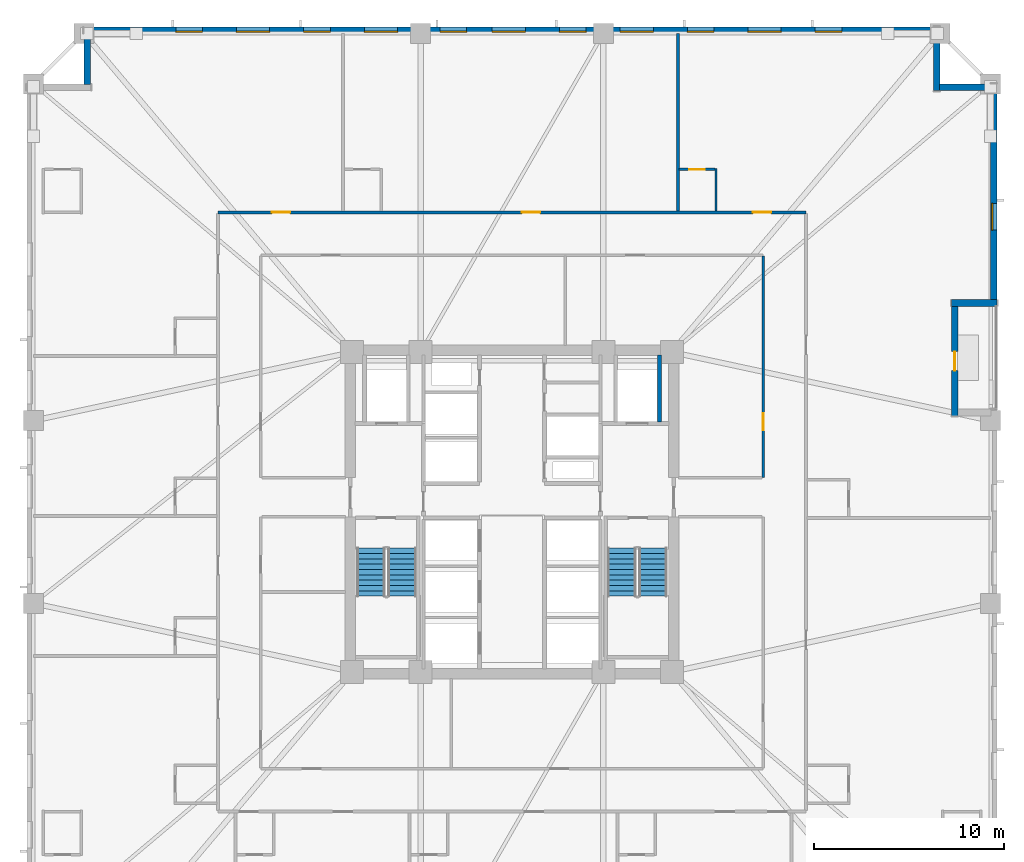
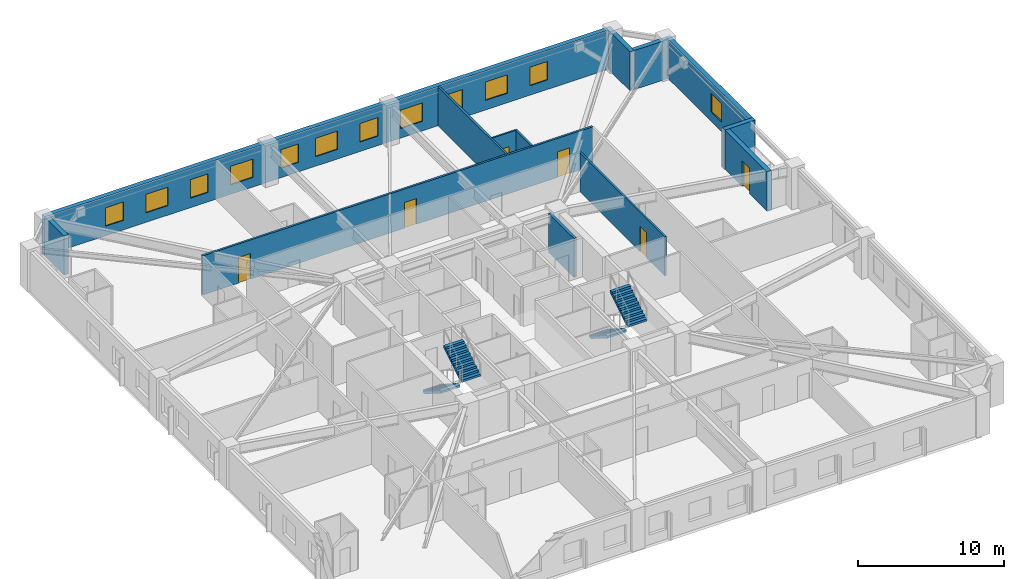
# One storey, part 6 of 11: 13 walls, 12 windows, 6 doors, 4 stair flights, 18 openings, 2 elements without a shape of their own.
"""IFC4 building model written with IfcOpenShell, lengths in metres."""

from ifc_helpers import new_model, si_unit, direction, frame, frame_2d, origin, place, context, subcontext, project, spatial, polyline, rectangle, outline, extrude, material, layer, layer_set, type_object, element, fill, aggregate, save


model = new_model("IFC4")

# Units and contexts
model_context = context("Model", 3, precision=1e-05, world=origin(), true_north=direction((0.0, 1.0)))
body_context = subcontext(model_context, "Body", "Model", "MODEL_VIEW")
ifc_project = project(units=[si_unit("LENGTHUNIT", "METRE"), si_unit("AREAUNIT", "SQUARE_METRE"), si_unit("VOLUMEUNIT", "CUBIC_METRE"), si_unit("PLANEANGLEUNIT", "RADIAN"), si_unit("MASSUNIT", "GRAM", prefix="KILO")], contexts=[model_context])

# Site, building, storey
site_placement = place(None, origin())
site = spatial("IfcSite", under=ifc_project, at=site_placement, CompositionType="ELEMENT")
building_placement = place(site_placement, origin())
building = spatial("IfcBuilding", under=site, at=building_placement, Name="Cairnveth Concourse Tower", CompositionType="ELEMENT")
storey_placement = place(building_placement, frame((0.0, 0.0, 76.0)))
storey = spatial("IfcBuildingStorey", under=building, at=storey_placement, Name="L20", CompositionType="ELEMENT", Elevation=76.0)

# Wall, openings, doors
ifc_material_1 = material(Name="Gypsum Plasterboard Partition", Category="gypsum")
ifc_layer_1 = layer(ifc_material_1, 0.159912109375)
ifc_layer_set_1 = layer_set([ifc_layer_1], Name="Gypsum Plasterboard Partition")
wall_type_1 = type_object("IfcWallType", Name="ACOUSTIC PARTY WALL 180", PredefinedType="PARTITIONING", material=ifc_layer_set_1)
wall_1_placement = place(storey_placement, frame((36.550048828125, 54.75, 0.0), z_axis=(0.0, 0.0, 1.0), x_axis=(1.0, 0.0, 0.0)))
wall_1 = element("IfcWall", 1, at=wall_1_placement, inside=storey, type_object=wall_type_1, Name="Interior Wall IW-L20-039", PredefinedType="PARTITIONING", context=body_context, shape_type="SweptSolid", body=[
    extrude(rectangle(XDim=30.89990234375, YDim=0.159912109375, at=frame_2d((15.449951171875, 0.0))), origin(), (0.0, 0.0, 1.0), 3.280029296875),
])
opening_1_placement = place(wall_1_placement, frame((2.830078125, 0.0, 0.0)))
opening_1 = element("IfcOpeningElement", 2, at=opening_1_placement, cuts=wall_1, Name="Opening ID09", PredefinedType="OPENING", context=body_context, shape_type="SweptSolid", body=[
    extrude(rectangle(XDim=0.9599609375, YDim=2.14990234375, at=frame_2d((0.47998046875, 1.074951171875))), frame((0.0, 0.08984375, 0.0), z_axis=(0.0, -1.0, 0.0), x_axis=(1.0, 0.0, 0.0)), (0.0, 0.0, 1.0), 0.179931640625),
])
opening_2_placement = place(wall_1_placement, frame((15.965087890625, 0.0, 0.0)))
opening_2 = element("IfcOpeningElement", 3, at=opening_2_placement, cuts=wall_1, Name="Opening ID09", PredefinedType="OPENING", context=body_context, shape_type="SweptSolid", body=[
    extrude(rectangle(XDim=0.9599609375, YDim=2.14990234375, at=frame_2d((0.47998046875, 1.074951171875))), frame((0.0, 0.08984375, 0.0), z_axis=(0.0, -1.0, 0.0), x_axis=(1.0, 0.0, 0.0)), (0.0, 0.0, 1.0), 0.179931640625),
])
opening_3_placement = place(wall_1_placement, frame((28.10498046875, 0.0, 0.0)))
opening_3 = element("IfcOpeningElement", 4, at=opening_3_placement, cuts=wall_1, Name="Opening ID09", PredefinedType="OPENING", context=body_context, shape_type="SweptSolid", body=[
    extrude(rectangle(XDim=0.9599609375, YDim=2.14990234375, at=frame_2d((0.47998046875, 1.074951171875))), frame((0.0, 0.08984375, 0.0), z_axis=(0.0, -1.0, 0.0), x_axis=(1.0, 0.0, 0.0)), (0.0, 0.0, 1.0), 0.179931640625),
])
ifc_material_2 = material(Name="Solid Core Hardwood Timber Leaf", Category="wood")
door_type_1 = type_object("IfcDoorType", Name="HOTEL ENTRANCE DOOR 960X2150", OperationType="NOTDEFINED", PredefinedType="DOOR", material=ifc_material_2)
door_1_placement = place(opening_1_placement, origin())
door_1 = element("IfcDoor", 5, at=door_1_placement, inside=storey, type_object=door_type_1, Name="Hotel Room Door L20-N1", OperationType="SINGLE_SWING_RIGHT", OverallHeight=2.14990234375, OverallWidth=0.9599609375, PredefinedType="DOOR", context=body_context, shape_type="SweptSolid", body=[
    extrude(rectangle(XDim=0.9599609375, YDim=2.14990234375, at=frame_2d((0.47998046875, 1.074951171875))), frame((0.0, 0.02490234375, 0.0), z_axis=(0.0, -1.0, 0.0), x_axis=(1.0, 0.0, 0.0)), (0.0, 0.0, 1.0), 0.050048828125),
])
fill(opening_1, door_1)
door_2_placement = place(opening_2_placement, origin())
door_2 = element("IfcDoor", 6, at=door_2_placement, inside=storey, type_object=door_type_1, Name="Hotel Room Door L20-N2", OperationType="SINGLE_SWING_RIGHT", OverallHeight=2.14990234375, OverallWidth=0.9599609375, PredefinedType="DOOR", context=body_context, shape_type="SweptSolid", body=[
    extrude(rectangle(XDim=0.9599609375, YDim=2.14990234375, at=frame_2d((0.47998046875, 1.074951171875))), frame((0.0, 0.02490234375, 0.0), z_axis=(0.0, -1.0, 0.0), x_axis=(1.0, 0.0, 0.0)), (0.0, 0.0, 1.0), 0.050048828125),
])
fill(opening_2, door_2)
door_3_placement = place(opening_3_placement, origin())
door_3 = element("IfcDoor", 7, at=door_3_placement, inside=storey, type_object=door_type_1, Name="Hotel Room Door L20-N3", OperationType="SINGLE_SWING_RIGHT", OverallHeight=2.14990234375, OverallWidth=0.9599609375, PredefinedType="DOOR", context=body_context, shape_type="SweptSolid", body=[
    extrude(rectangle(XDim=0.9599609375, YDim=2.14990234375, at=frame_2d((0.47998046875, 1.074951171875))), frame((0.0, 0.02490234375, 0.0), z_axis=(0.0, -1.0, 0.0), x_axis=(1.0, 0.0, 0.0)), (0.0, 0.0, 1.0), 0.050048828125),
])
fill(opening_3, door_3)

# Walls
wall_2_placement = place(storey_placement, frame((60.719970703125, 54.81494140625, 0.0), z_axis=(0.0, 0.0, 1.0), x_axis=(0.0, 1.0, 0.0)))
element("IfcWall", 8, at=wall_2_placement, inside=storey, type_object=wall_type_1, Name="Interior Wall IW-L20-080", PredefinedType="PARTITIONING", context=body_context, shape_type="SweptSolid", body=[
    extrude(rectangle(XDim=9.340087890625, YDim=0.159912109375, at=frame_2d((4.669921875, 0.0))), origin(), (0.0, 0.0, 1.0), 3.280029296875),
])
ifc_material_3 = material(Name="Concrete N50 (50 MPa)", Category="concrete")
ifc_layer_2 = layer(ifc_material_3, 0.199951171875)
ifc_layer_set_2 = layer_set([ifc_layer_2], Name="Concrete N50 (50 MPa)")
wall_type_2 = type_object("IfcWallType", Name="FIRE SHAFT WALL 200", PredefinedType="SOLIDWALL", material=ifc_layer_set_2)
wall_3_placement = place(storey_placement, frame((59.75, 43.735107421875, 0.0), z_axis=(0.0, 0.0, 1.0), x_axis=(0.0, 1.0, 0.0)))
element("IfcWall", 9, at=wall_3_placement, inside=storey, type_object=wall_type_2, Name="Interior Wall IW-L20-024", PredefinedType="SOLIDWALL", context=body_context, shape_type="SweptSolid", body=[
    extrude(rectangle(XDim=3.5048828125, YDim=0.199951171875, at=frame_2d((1.75244140625, 0.0))), origin(), (0.0, 0.0, 1.0), 3.280029296875),
])

# Wall, opening, door
ifc_layer_3 = layer(ifc_material_1, 0.139892578125)
ifc_layer_set_3 = layer_set([ifc_layer_3], Name="Gypsum Plasterboard Partition")
wall_type_3 = type_object("IfcWallType", Name="GYPSUM STUD PARTITION 140", PredefinedType="PARTITIONING", material=ifc_layer_set_3)
wall_4_placement = place(storey_placement, frame((65.199951171875, 40.800048828125, 0.0), z_axis=(0.0, 0.0, 1.0), x_axis=(0.0, 1.0, 0.0)))
wall_4 = element("IfcWall", 10, at=wall_4_placement, inside=storey, type_object=wall_type_3, Name="Interior Wall IW-L20-049", PredefinedType="PARTITIONING", context=body_context, shape_type="SweptSolid", body=[
    extrude(rectangle(XDim=11.64501953125, YDim=0.139892578125, at=frame_2d((5.822509765625, 0.0))), origin(), (0.0, 0.0, 1.0), 3.280029296875),
])
opening_4_placement = place(wall_4_placement, frame((2.5, 0.0, 0.0)))
opening_4 = element("IfcOpeningElement", 11, at=opening_4_placement, cuts=wall_4, Name="Opening ID18", PredefinedType="OPENING", context=body_context, shape_type="SweptSolid", body=[
    extrude(rectangle(XDim=0.8798828125, YDim=2.10009765625, at=frame_2d((0.43994140625, 1.050048828125))), frame((0.0, 0.079833984375, 0.0), z_axis=(0.0, -1.0, 0.0), x_axis=(1.0, 0.0, 0.0)), (0.0, 0.0, 1.0), 0.159912109375),
])
door_type_2 = type_object("IfcDoorType", Name="INTERIOR SINGLE DOOR 880X2100", OperationType="NOTDEFINED", PredefinedType="DOOR", material=ifc_material_2)
door_4_placement = place(opening_4_placement, origin())
door_4 = element("IfcDoor", 12, at=door_4_placement, inside=storey, type_object=door_type_2, Name="Interior Door DR-L20-022", OperationType="SINGLE_SWING_RIGHT", OverallHeight=2.10009765625, OverallWidth=0.8798828125, PredefinedType="DOOR", context=body_context, shape_type="SweptSolid", body=[
    extrude(rectangle(XDim=0.8798828125, YDim=2.10009765625, at=frame_2d((0.43994140625, 1.050048828125))), frame((0.0, 0.02490234375, 0.0), z_axis=(0.0, -1.0, 0.0), x_axis=(1.0, 0.0, 0.0)), (0.0, 0.0, 1.0), 0.050048828125),
])
fill(opening_4, door_4)

# Wall
ifc_layer_4 = layer(ifc_material_1, 0.1298828125)
ifc_layer_set_4 = layer_set([ifc_layer_4], Name="Gypsum Plasterboard Partition")
wall_type_4 = type_object("IfcWallType", Name="WET AREA PARTITION 140", PredefinedType="PLUMBINGWALL", material=ifc_layer_set_4)
wall_5_placement = place(storey_placement, frame((62.719970703125, 54.81494140625, 0.0), z_axis=(0.0, 0.0, 1.0), x_axis=(0.0, 1.0, 0.0)))
element("IfcWall", 13, at=wall_5_placement, inside=storey, type_object=wall_type_4, Name="Interior Wall IW-L20-081", PredefinedType="PLUMBINGWALL", context=body_context, shape_type="SweptSolid", body=[
    extrude(rectangle(XDim=2.235107421875, YDim=0.1298828125, at=frame_2d((1.11767578125, 0.0))), origin(), (0.0, 0.0, 1.0), 3.280029296875),
])

# Wall, opening, door
wall_6_placement = place(storey_placement, frame((60.784912109375, 57.0, 0.0), z_axis=(0.0, 0.0, 1.0), x_axis=(1.0, 0.0, 0.0)))
wall_6 = element("IfcWall", 14, at=wall_6_placement, inside=storey, type_object=wall_type_4, Name="Interior Wall IW-L20-082", PredefinedType="PLUMBINGWALL", context=body_context, shape_type="SweptSolid", body=[
    extrude(rectangle(XDim=1.885009765625, YDim=0.1298828125, at=frame_2d((0.9423828125, 0.0))), origin(), (0.0, 0.0, 1.0), 3.280029296875),
])
opening_5_placement = place(wall_6_placement, frame((0.52490234375, 0.0, 0.0)))
opening_5 = element("IfcOpeningElement", 15, at=opening_5_placement, cuts=wall_6, Name="Opening ID22", PredefinedType="OPENING", context=body_context, shape_type="SweptSolid", body=[
    extrude(rectangle(XDim=0.820068359375, YDim=2.10009765625, at=frame_2d((0.41015625, 1.050048828125))), frame((0.0, 0.074951171875, 0.0), z_axis=(0.0, -1.0, 0.0), x_axis=(1.0, 0.0, 0.0)), (0.0, 0.0, 1.0), 0.14990234375),
])
door_type_3 = type_object("IfcDoorType", Name="INTERIOR WC DOOR 820X2100", OperationType="NOTDEFINED", PredefinedType="DOOR", material=ifc_material_2)
door_5_placement = place(opening_5_placement, origin())
door_5 = element("IfcDoor", 16, at=door_5_placement, inside=storey, type_object=door_type_3, Name="En-Suite Door L20-N3", OperationType="SINGLE_SWING_LEFT", OverallHeight=2.10009765625, OverallWidth=0.820068359375, PredefinedType="DOOR", context=body_context, shape_type="SweptSolid", body=[
    extrude(rectangle(XDim=0.820068359375, YDim=2.10009765625, at=frame_2d((0.41015625, 1.050048828125))), frame((0.0, 0.02490234375, 0.0), z_axis=(0.0, -1.0, 0.0), x_axis=(1.0, 0.0, 0.0)), (0.0, 0.0, 1.0), 0.050048828125),
])
fill(opening_5, door_5)

# Wall
ifc_material_4 = material(Name="Hawthorn Red-Ochre Fired Clay Brick Masonry", Category="masonry")
ifc_layer_5 = layer(ifc_material_4, 0.360107421875)
ifc_layer_set_5 = layer_set([ifc_layer_5], Name="Hawthorn Red-Ochre Fired Clay Brick Masonry")
wall_type_5 = type_object("IfcWallType", Name="ZONE 1 BRICK PIER SPANDREL WALL 360", PredefinedType="SOLIDWALL", material=ifc_layer_set_5)
wall_7_placement = place(storey_placement, frame((29.679931640625, 61.47802734375, 0.0), z_axis=(0.0, 0.0, 1.0), x_axis=(0.0, 1.0, 0.0)))
element("IfcWall", 17, at=wall_7_placement, inside=storey, type_object=wall_type_5, Name="Exterior Wall EW-L20-S08", PredefinedType="SOLIDWALL", context=body_context, shape_type="SweptSolid", body=[
    extrude(rectangle(XDim=2.68408203125, YDim=0.360107421875, at=frame_2d((1.342041015625, 0.0))), origin(), (0.0, 0.0, 1.0), 3.280029296875),
])

# Wall, openings, windows
wall_8_placement = place(storey_placement, frame((29.5, 64.320068359375, 0.0), z_axis=(0.0, 0.0, 1.0), x_axis=(1.0, 0.0, 0.0)))
wall_8 = element("IfcWall", 18, at=wall_8_placement, inside=storey, type_object=wall_type_5, Name="Exterior Wall EW-L20-S09", PredefinedType="SOLIDWALL", context=body_context, shape_type="SweptSolid", body=[
    extrude(rectangle(XDim=44.662109375, YDim=0.360107421875, at=frame_2d((22.3310546875, 0.0))), origin(), (0.0, 0.0, 1.0), 3.280029296875),
])
opening_6_placement = place(wall_8_placement, frame((4.830078125, 0.0, 0.800048828125)))
opening_6 = element("IfcOpeningElement", 19, at=opening_6_placement, cuts=wall_8, Name="Opening W05", PredefinedType="OPENING", context=body_context, shape_type="SweptSolid", body=[
    extrude(rectangle(XDim=1.39990234375, YDim=1.5439453125, at=frame_2d((0.699951171875, 0.77197265625))), frame((0.0, 0.18994140625, 0.0), z_axis=(0.0, -1.0, 0.0), x_axis=(1.0, 0.0, 0.0)), (0.0, 0.0, 1.0), 0.380126953125),
])
opening_7_placement = place(wall_8_placement, frame((8.015380859375, 0.0, 0.800048828125)))
opening_7 = element("IfcOpeningElement", 20, at=opening_7_placement, cuts=wall_8, Name="Opening W06", PredefinedType="OPENING", context=body_context, shape_type="SweptSolid", body=[
    extrude(rectangle(XDim=1.75, YDim=1.5439453125, at=frame_2d((0.875, 0.77197265625))), frame((0.0, 0.18994140625, 0.0), z_axis=(0.0, -1.0, 0.0), x_axis=(1.0, 0.0, 0.0)), (0.0, 0.0, 1.0), 0.380126953125),
])
opening_8_placement = place(wall_8_placement, frame((11.550537109375, 0.0, 0.800048828125)))
opening_8 = element("IfcOpeningElement", 21, at=opening_8_placement, cuts=wall_8, Name="Opening W05", PredefinedType="OPENING", context=body_context, shape_type="SweptSolid", body=[
    extrude(rectangle(XDim=1.39990234375, YDim=1.5439453125, at=frame_2d((0.699951171875, 0.77197265625))), frame((0.0, 0.18994140625, 0.0), z_axis=(0.0, -1.0, 0.0), x_axis=(1.0, 0.0, 0.0)), (0.0, 0.0, 1.0), 0.380126953125),
])
opening_9_placement = place(wall_8_placement, frame((14.735595703125, 0.0, 0.800048828125)))
opening_9 = element("IfcOpeningElement", 22, at=opening_9_placement, cuts=wall_8, Name="Opening W06", PredefinedType="OPENING", context=body_context, shape_type="SweptSolid", body=[
    extrude(rectangle(XDim=1.75, YDim=1.5439453125, at=frame_2d((0.875, 0.77197265625))), frame((0.0, 0.18994140625, 0.0), z_axis=(0.0, -1.0, 0.0), x_axis=(1.0, 0.0, 0.0)), (0.0, 0.0, 1.0), 0.380126953125),
])
opening_10_placement = place(wall_8_placement, frame((18.720703125, 0.0, 0.800048828125)))
opening_10 = element("IfcOpeningElement", 23, at=opening_10_placement, cuts=wall_8, Name="Opening W05", PredefinedType="OPENING", context=body_context, shape_type="SweptSolid", body=[
    extrude(rectangle(XDim=1.39990234375, YDim=1.5439453125, at=frame_2d((0.699951171875, 0.77197265625))), frame((0.0, 0.18994140625, 0.0), z_axis=(0.0, -1.0, 0.0), x_axis=(1.0, 0.0, 0.0)), (0.0, 0.0, 1.0), 0.380126953125),
])
opening_11_placement = place(wall_8_placement, frame((21.4560546875, 0.0, 0.800048828125)))
opening_11 = element("IfcOpeningElement", 24, at=opening_11_placement, cuts=wall_8, Name="Opening W06", PredefinedType="OPENING", context=body_context, shape_type="SweptSolid", body=[
    extrude(rectangle(XDim=1.75, YDim=1.5439453125, at=frame_2d((0.875, 0.77197265625))), frame((0.0, 0.18994140625, 0.0), z_axis=(0.0, -1.0, 0.0), x_axis=(1.0, 0.0, 0.0)), (0.0, 0.0, 1.0), 0.380126953125),
])
opening_12_placement = place(wall_8_placement, frame((24.9912109375, 0.0, 0.800048828125)))
opening_12 = element("IfcOpeningElement", 25, at=opening_12_placement, cuts=wall_8, Name="Opening W05", PredefinedType="OPENING", context=body_context, shape_type="SweptSolid", body=[
    extrude(rectangle(XDim=1.39990234375, YDim=1.5439453125, at=frame_2d((0.699951171875, 0.77197265625))), frame((0.0, 0.18994140625, 0.0), z_axis=(0.0, -1.0, 0.0), x_axis=(1.0, 0.0, 0.0)), (0.0, 0.0, 1.0), 0.380126953125),
])
opening_13_placement = place(wall_8_placement, frame((28.176513671875, 0.0, 0.800048828125)))
opening_13 = element("IfcOpeningElement", 26, at=opening_13_placement, cuts=wall_8, Name="Opening W06", PredefinedType="OPENING", context=body_context, shape_type="SweptSolid", body=[
    extrude(rectangle(XDim=1.75, YDim=1.5439453125, at=frame_2d((0.875, 0.77197265625))), frame((0.0, 0.18994140625, 0.0), z_axis=(0.0, -1.0, 0.0), x_axis=(1.0, 0.0, 0.0)), (0.0, 0.0, 1.0), 0.380126953125),
])
opening_14_placement = place(wall_8_placement, frame((31.71142578125, 0.0, 0.800048828125)))
opening_14 = element("IfcOpeningElement", 27, at=opening_14_placement, cuts=wall_8, Name="Opening W05", PredefinedType="OPENING", context=body_context, shape_type="SweptSolid", body=[
    extrude(rectangle(XDim=1.39990234375, YDim=1.5439453125, at=frame_2d((0.699951171875, 0.77197265625))), frame((0.0, 0.18994140625, 0.0), z_axis=(0.0, -1.0, 0.0), x_axis=(1.0, 0.0, 0.0)), (0.0, 0.0, 1.0), 0.380126953125),
])
opening_15_placement = place(wall_8_placement, frame((34.896728515625, 0.0, 0.800048828125)))
opening_15 = element("IfcOpeningElement", 28, at=opening_15_placement, cuts=wall_8, Name="Opening W06", PredefinedType="OPENING", context=body_context, shape_type="SweptSolid", body=[
    extrude(rectangle(XDim=1.75, YDim=1.5439453125, at=frame_2d((0.875, 0.77197265625))), frame((0.0, 0.18994140625, 0.0), z_axis=(0.0, -1.0, 0.0), x_axis=(1.0, 0.0, 0.0)), (0.0, 0.0, 1.0), 0.380126953125),
])
opening_16_placement = place(wall_8_placement, frame((38.431884765625, 0.0, 0.800048828125)))
opening_16 = element("IfcOpeningElement", 29, at=opening_16_placement, cuts=wall_8, Name="Opening W05", PredefinedType="OPENING", context=body_context, shape_type="SweptSolid", body=[
    extrude(rectangle(XDim=1.39990234375, YDim=1.5439453125, at=frame_2d((0.699951171875, 0.77197265625))), frame((0.0, 0.18994140625, 0.0), z_axis=(0.0, -1.0, 0.0), x_axis=(1.0, 0.0, 0.0)), (0.0, 0.0, 1.0), 0.380126953125),
])
ifc_material_5 = material(Name="Double Glazed Low-E Clear Glass", Category="glass")
window_type_1 = type_object("IfcWindowType", Name="DEEP-SET HOTEL CASEMENT WINDOW 1400X1750", PartitioningType="DOUBLE_PANEL_VERTICAL", PredefinedType="WINDOW", material=ifc_material_5)
window_1_placement = place(opening_6_placement, origin())
window_1 = element("IfcWindow", 30, at=window_1_placement, inside=storey, type_object=window_type_1, Name="Gothic Lancet Window L20-9-1", OverallHeight=1.5439453125, OverallWidth=1.39990234375, PartitioningType="SINGLE_PANEL", PredefinedType="WINDOW", context=body_context, shape_type="SweptSolid", body=[
    extrude(rectangle(XDim=1.39990234375, YDim=1.5439453125, at=frame_2d((0.699951171875, 0.77197265625))), frame((0.0, -0.050048828125, 0.0), z_axis=(0.0, -1.0, 0.0), x_axis=(1.0, 0.0, 0.0)), (0.0, 0.0, 1.0), 0.06005859375),
])
fill(opening_6, window_1)
window_2_placement = place(opening_8_placement, origin())
window_2 = element("IfcWindow", 31, at=window_2_placement, inside=storey, type_object=window_type_1, Name="Gothic Lancet Window L20-9-3", OverallHeight=1.5439453125, OverallWidth=1.39990234375, PartitioningType="SINGLE_PANEL", PredefinedType="WINDOW", context=body_context, shape_type="SweptSolid", body=[
    extrude(rectangle(XDim=1.39990234375, YDim=1.5439453125, at=frame_2d((0.699951171875, 0.77197265625))), frame((0.0, -0.050048828125, 0.0), z_axis=(0.0, -1.0, 0.0), x_axis=(1.0, 0.0, 0.0)), (0.0, 0.0, 1.0), 0.06005859375),
])
fill(opening_8, window_2)
window_3_placement = place(opening_10_placement, origin())
window_3 = element("IfcWindow", 32, at=window_3_placement, inside=storey, type_object=window_type_1, Name="Gothic Lancet Window L20-9-5", OverallHeight=1.5439453125, OverallWidth=1.39990234375, PartitioningType="SINGLE_PANEL", PredefinedType="WINDOW", context=body_context, shape_type="SweptSolid", body=[
    extrude(rectangle(XDim=1.39990234375, YDim=1.5439453125, at=frame_2d((0.699951171875, 0.77197265625))), frame((0.0, -0.050048828125, 0.0), z_axis=(0.0, -1.0, 0.0), x_axis=(1.0, 0.0, 0.0)), (0.0, 0.0, 1.0), 0.06005859375),
])
fill(opening_10, window_3)
window_4_placement = place(opening_12_placement, origin())
window_4 = element("IfcWindow", 33, at=window_4_placement, inside=storey, type_object=window_type_1, Name="Gothic Lancet Window L20-9-7", OverallHeight=1.5439453125, OverallWidth=1.39990234375, PartitioningType="SINGLE_PANEL", PredefinedType="WINDOW", context=body_context, shape_type="SweptSolid", body=[
    extrude(rectangle(XDim=1.39990234375, YDim=1.5439453125, at=frame_2d((0.699951171875, 0.77197265625))), frame((0.0, -0.050048828125, 0.0), z_axis=(0.0, -1.0, 0.0), x_axis=(1.0, 0.0, 0.0)), (0.0, 0.0, 1.0), 0.06005859375),
])
fill(opening_12, window_4)
window_5_placement = place(opening_14_placement, origin())
window_5 = element("IfcWindow", 34, at=window_5_placement, inside=storey, type_object=window_type_1, Name="Gothic Lancet Window L20-9-9", OverallHeight=1.5439453125, OverallWidth=1.39990234375, PartitioningType="SINGLE_PANEL", PredefinedType="WINDOW", context=body_context, shape_type="SweptSolid", body=[
    extrude(rectangle(XDim=1.39990234375, YDim=1.5439453125, at=frame_2d((0.699951171875, 0.77197265625))), frame((0.0, -0.050048828125, 0.0), z_axis=(0.0, -1.0, 0.0), x_axis=(1.0, 0.0, 0.0)), (0.0, 0.0, 1.0), 0.06005859375),
])
fill(opening_14, window_5)
window_6_placement = place(opening_16_placement, origin())
window_6 = element("IfcWindow", 35, at=window_6_placement, inside=storey, type_object=window_type_1, Name="Gothic Lancet Window L20-9-11", OverallHeight=1.5439453125, OverallWidth=1.39990234375, PartitioningType="SINGLE_PANEL", PredefinedType="WINDOW", context=body_context, shape_type="SweptSolid", body=[
    extrude(rectangle(XDim=1.39990234375, YDim=1.5439453125, at=frame_2d((0.699951171875, 0.77197265625))), frame((0.0, -0.050048828125, 0.0), z_axis=(0.0, -1.0, 0.0), x_axis=(1.0, 0.0, 0.0)), (0.0, 0.0, 1.0), 0.06005859375),
])
fill(opening_16, window_6)
window_type_2 = type_object("IfcWindowType", Name="DEEP-SET HOTEL SUITE WINDOW 1750X1800", PartitioningType="DOUBLE_PANEL_VERTICAL", PredefinedType="WINDOW", material=ifc_material_5)
window_7_placement = place(opening_7_placement, origin())
window_7 = element("IfcWindow", 36, at=window_7_placement, inside=storey, type_object=window_type_2, Name="Gothic Lancet Window L20-9-2", OverallHeight=1.5439453125, OverallWidth=1.75, PartitioningType="SINGLE_PANEL", PredefinedType="WINDOW", context=body_context, shape_type="SweptSolid", body=[
    extrude(rectangle(XDim=1.75, YDim=1.5439453125, at=frame_2d((0.875, 0.77197265625))), frame((0.0, -0.050048828125, 0.0), z_axis=(0.0, -1.0, 0.0), x_axis=(1.0, 0.0, 0.0)), (0.0, 0.0, 1.0), 0.06005859375),
])
fill(opening_7, window_7)
window_8_placement = place(opening_9_placement, origin())
window_8 = element("IfcWindow", 37, at=window_8_placement, inside=storey, type_object=window_type_2, Name="Gothic Lancet Window L20-9-4", OverallHeight=1.5439453125, OverallWidth=1.75, PartitioningType="SINGLE_PANEL", PredefinedType="WINDOW", context=body_context, shape_type="SweptSolid", body=[
    extrude(rectangle(XDim=1.75, YDim=1.5439453125, at=frame_2d((0.875, 0.77197265625))), frame((0.0, -0.050048828125, 0.0), z_axis=(0.0, -1.0, 0.0), x_axis=(1.0, 0.0, 0.0)), (0.0, 0.0, 1.0), 0.06005859375),
])
fill(opening_9, window_8)
window_9_placement = place(opening_11_placement, origin())
window_9 = element("IfcWindow", 38, at=window_9_placement, inside=storey, type_object=window_type_2, Name="Gothic Lancet Window L20-9-6", OverallHeight=1.5439453125, OverallWidth=1.75, PartitioningType="SINGLE_PANEL", PredefinedType="WINDOW", context=body_context, shape_type="SweptSolid", body=[
    extrude(rectangle(XDim=1.75, YDim=1.5439453125, at=frame_2d((0.875, 0.77197265625))), frame((0.0, -0.050048828125, 0.0), z_axis=(0.0, -1.0, 0.0), x_axis=(1.0, 0.0, 0.0)), (0.0, 0.0, 1.0), 0.06005859375),
])
fill(opening_11, window_9)
window_10_placement = place(opening_13_placement, origin())
window_10 = element("IfcWindow", 39, at=window_10_placement, inside=storey, type_object=window_type_2, Name="Gothic Lancet Window L20-9-8", OverallHeight=1.5439453125, OverallWidth=1.75, PartitioningType="SINGLE_PANEL", PredefinedType="WINDOW", context=body_context, shape_type="SweptSolid", body=[
    extrude(rectangle(XDim=1.75, YDim=1.5439453125, at=frame_2d((0.875, 0.77197265625))), frame((0.0, -0.050048828125, 0.0), z_axis=(0.0, -1.0, 0.0), x_axis=(1.0, 0.0, 0.0)), (0.0, 0.0, 1.0), 0.06005859375),
])
fill(opening_13, window_10)
window_11_placement = place(opening_15_placement, origin())
window_11 = element("IfcWindow", 40, at=window_11_placement, inside=storey, type_object=window_type_2, Name="Gothic Lancet Window L20-9-10", OverallHeight=1.5439453125, OverallWidth=1.75, PartitioningType="SINGLE_PANEL", PredefinedType="WINDOW", context=body_context, shape_type="SweptSolid", body=[
    extrude(rectangle(XDim=1.75, YDim=1.5439453125, at=frame_2d((0.875, 0.77197265625))), frame((0.0, -0.050048828125, 0.0), z_axis=(0.0, -1.0, 0.0), x_axis=(1.0, 0.0, 0.0)), (0.0, 0.0, 1.0), 0.06005859375),
])
fill(opening_15, window_11)

# Walls
wall_9_placement = place(storey_placement, frame((74.320068359375, 64.5, 0.0), z_axis=(0.0, 0.0, 1.0), x_axis=(0.0, -1.0, 0.0)))
element("IfcWall", 41, at=wall_9_placement, inside=storey, type_object=wall_type_5, Name="Exterior Wall EW-L20-S10", PredefinedType="SOLIDWALL", context=body_context, shape_type="SweptSolid", body=[
    extrude(rectangle(XDim=3.360107421875, YDim=0.360107421875, at=frame_2d((1.68017578125, 0.0))), origin(), (0.0, 0.0, 1.0), 3.280029296875),
])
wall_10_placement = place(storey_placement, frame((74.47802734375, 61.320068359375, 0.0), z_axis=(0.0, 0.0, 1.0), x_axis=(1.0, 0.0, 0.0)))
element("IfcWall", 42, at=wall_10_placement, inside=storey, type_object=wall_type_5, Name="Exterior Wall EW-L20-S11", PredefinedType="SOLIDWALL", context=body_context, shape_type="SweptSolid", body=[
    extrude(rectangle(XDim=2.68408203125, YDim=0.360107421875, at=frame_2d((1.342041015625, 0.0))), origin(), (0.0, 0.0, 1.0), 3.280029296875),
])

# Wall, opening, window
wall_11_placement = place(storey_placement, frame((77.320068359375, 61.5, 0.0), z_axis=(0.0, 0.0, 1.0), x_axis=(0.0, -1.0, 0.0)))
wall_11 = element("IfcWall", 43, at=wall_11_placement, inside=storey, type_object=wall_type_5, Name="Exterior Wall EW-L20-S12", PredefinedType="SOLIDWALL", context=body_context, shape_type="SweptSolid", body=[
    extrude(rectangle(XDim=11.362060546875, YDim=0.360107421875, at=frame_2d((5.68115234375, 0.0))), origin(), (0.0, 0.0, 1.0), 3.280029296875),
])
opening_17_placement = place(wall_11_placement, frame((6.281005859375, 0.0, 0.800048828125)))
opening_17 = element("IfcOpeningElement", 44, at=opening_17_placement, cuts=wall_11, Name="Opening W05", PredefinedType="OPENING", context=body_context, shape_type="SweptSolid", body=[
    extrude(rectangle(XDim=1.39990234375, YDim=1.5439453125, at=frame_2d((0.699951171875, 0.77197265625))), frame((0.0, 0.18994140625, 0.0), z_axis=(0.0, -1.0, 0.0), x_axis=(1.0, 0.0, 0.0)), (0.0, 0.0, 1.0), 0.380126953125),
])
window_12_placement = place(opening_17_placement, origin())
window_12 = element("IfcWindow", 45, at=window_12_placement, inside=storey, type_object=window_type_1, Name="Gothic Lancet Window L20-12-1", OverallHeight=1.5439453125, OverallWidth=1.39990234375, PartitioningType="SINGLE_PANEL", PredefinedType="WINDOW", context=body_context, shape_type="SweptSolid", body=[
    extrude(rectangle(XDim=1.39990234375, YDim=1.5439453125, at=frame_2d((0.699951171875, 0.77197265625))), frame((0.0, -0.050048828125, 0.0), z_axis=(0.0, -1.0, 0.0), x_axis=(1.0, 0.0, 0.0)), (0.0, 0.0, 1.0), 0.06005859375),
])
fill(opening_17, window_12)

# Wall
wall_12_placement = place(storey_placement, frame((77.5, 49.97998046875, 0.0), z_axis=(0.0, 0.0, 1.0), x_axis=(-1.0, 0.0, 0.0)))
element("IfcWall", 46, at=wall_12_placement, inside=storey, type_object=wall_type_5, Name="Exterior Wall EW-L20-S13", PredefinedType="SOLIDWALL", context=body_context, shape_type="SweptSolid", body=[
    extrude(rectangle(XDim=2.409912109375, YDim=0.360107421875, at=frame_2d((1.205078125, 0.0))), origin(), (0.0, 0.0, 1.0), 3.280029296875),
])

# Wall, opening, door
wall_13_placement = place(storey_placement, frame((75.27001953125, 49.822021484375, 0.0), z_axis=(0.0, 0.0, 1.0), x_axis=(0.0, -1.0, 0.0)))
wall_13 = element("IfcWall", 47, at=wall_13_placement, inside=storey, type_object=wall_type_5, Name="Exterior Wall EW-L20-S14", PredefinedType="SOLIDWALL", context=body_context, shape_type="SweptSolid", body=[
    extrude(rectangle(XDim=5.781982421875, YDim=0.360107421875, at=frame_2d((2.89111328125, 0.0))), origin(), (0.0, 0.0, 1.0), 3.280029296875),
])
opening_18_placement = place(wall_13_placement, frame((2.39111328125, 0.0, 0.0)))
opening_18 = element("IfcOpeningElement", 48, at=opening_18_placement, cuts=wall_13, Name="Opening ED4", PredefinedType="OPENING", context=body_context, shape_type="SweptSolid", body=[
    extrude(rectangle(XDim=1.0, YDim=2.14990234375, at=frame_2d((0.5, 1.074951171875))), frame((0.0, 0.18994140625, 0.0), z_axis=(0.0, -1.0, 0.0), x_axis=(1.0, 0.0, 0.0)), (0.0, 0.0, 1.0), 0.380126953125),
])
ifc_material_6 = material(Name="Architectural Bronze Anodised Aluminium 6063-T6", Category="aluminium")
door_type_4 = type_object("IfcDoorType", Name="TERRACE GLAZED DOOR 1000X2150", OperationType="NOTDEFINED", PredefinedType="DOOR", material=ifc_material_6)
door_6_placement = place(opening_18_placement, origin())
door_6 = element("IfcDoor", 49, at=door_6_placement, inside=storey, type_object=door_type_4, Name="Spiral Terrace Door L20", OperationType="SINGLE_SWING_LEFT", OverallHeight=2.14990234375, OverallWidth=1.0, PredefinedType="DOOR", context=body_context, shape_type="SweptSolid", body=[
    extrude(rectangle(XDim=1.0, YDim=2.14990234375, at=frame_2d((0.5, 1.074951171875))), frame((0.0, 0.02490234375, 0.0), z_axis=(0.0, -1.0, 0.0), x_axis=(1.0, 0.0, 0.0)), (0.0, 0.0, 1.0), 0.050048828125),
])
fill(opening_18, door_6)

# Stair, stair flights
ifc_material_7 = material(Name="Precast concrete N50 (50 MPa)", Category="concrete")
stair_type = type_object("IfcStairType", Name="CORE DOG-LEG FIRE STAIR 1500", PredefinedType="HALF_TURN_STAIR", material=ifc_material_7)
stair_1_placement = place(storey_placement, origin())
stair_1 = element("IfcStair", 50, at=stair_1_placement, inside=storey, type_object=stair_type, Name="L20 Fire-Isolated Stair ST-1", PredefinedType="HALF_TURN_STAIR")
stair_flight_type = type_object("IfcStairFlightType", Name="PRECAST CONCRETE STAIR FLIGHT 1500", PredefinedType="STRAIGHT", material=ifc_material_7)
stair_flight_1_placement = place(storey_placement, frame((44.590087890625, 37.10009765625, 0.0), z_axis=(0.0, 0.0, 1.0), x_axis=(0.0, -1.0, 0.0)))
stair_flight_1 = element("IfcStairFlight", 51, at=stair_flight_1_placement, type_object=stair_flight_type, Name="ST-1 flight 1", NumberOfRisers=10, NumberOfTreads=9, PredefinedType="STRAIGHT", RiserHeight=0.175, TreadLength=0.28, context=body_context, shape_type="SweptSolid", body=[
    extrude(outline(polyline([(0.0, 0.0), (0.0, 0.175048828125), (0.280029296875, 0.175048828125), (0.280029296875, 0.35009765625), (0.56005859375, 0.35009765625), (0.56005859375, 0.52490234375), (0.840087890625, 0.52490234375), (0.840087890625, 0.699951171875), (1.1201171875, 0.699951171875), (1.1201171875, 0.875), (1.39990234375, 0.875), (1.39990234375, 1.050048828125), (1.679931640625, 1.050048828125), (1.679931640625, 1.22509765625), (1.9599609375, 1.22509765625), (1.9599609375, 1.39990234375), (2.239990234375, 1.39990234375), (2.239990234375, 1.574951171875), (2.52001953125, 1.574951171875), (2.52001953125, 1.75), (2.52001953125, 1.398193359375), (0.28271484375, 0.0), (0.0, 0.0)])), frame((0.0, 0.75, 0.0), z_axis=(0.0, -1.0, 0.0), x_axis=(1.0, 0.0, 0.0)), (0.0, 0.0, 1.0), 1.5),
])
stair_flight_2_placement = place(storey_placement, frame((46.22998046875, 34.580078125, 1.75), z_axis=(0.0, 0.0, 1.0), x_axis=(0.0, 1.0, 0.0)))
stair_flight_2 = element("IfcStairFlight", 52, at=stair_flight_2_placement, type_object=stair_flight_type, Name="ST-1 flight 2", NumberOfRisers=10, NumberOfTreads=9, PredefinedType="STRAIGHT", RiserHeight=0.175, TreadLength=0.28, context=body_context, shape_type="SweptSolid", body=[
    extrude(outline(polyline([(0.0, 0.0), (0.0, 0.175048828125), (0.280029296875, 0.175048828125), (0.280029296875, 0.35009765625), (0.56005859375, 0.35009765625), (0.56005859375, 0.52490234375), (0.840087890625, 0.52490234375), (0.840087890625, 0.699951171875), (1.1201171875, 0.699951171875), (1.1201171875, 0.875), (1.39990234375, 0.875), (1.39990234375, 1.050048828125), (1.679931640625, 1.050048828125), (1.679931640625, 1.22509765625), (1.9599609375, 1.22509765625), (1.9599609375, 1.39990234375), (2.239990234375, 1.39990234375), (2.239990234375, 1.574951171875), (2.52001953125, 1.574951171875), (2.52001953125, 1.75), (2.52001953125, 1.398193359375), (0.28271484375, 0.0), (0.0, 0.0)])), frame((0.0, 0.75, 0.0), z_axis=(0.0, -1.0, 0.0), x_axis=(1.0, 0.0, 0.0)), (0.0, 0.0, 1.0), 1.5),
])
aggregate(stair_1, [stair_flight_1, stair_flight_2])

stair_2_placement = place(storey_placement, origin())
stair_2 = element("IfcStair", 53, at=stair_2_placement, inside=storey, type_object=stair_type, Name="L20 Fire-Isolated Stair ST-2", PredefinedType="HALF_TURN_STAIR")
stair_flight_3_placement = place(storey_placement, frame((57.77001953125, 37.10009765625, 0.0), z_axis=(0.0, 0.0, 1.0), x_axis=(0.0, -1.0, 0.0)))
stair_flight_3 = element("IfcStairFlight", 54, at=stair_flight_3_placement, type_object=stair_flight_type, Name="ST-2 flight 1", NumberOfRisers=10, NumberOfTreads=9, PredefinedType="STRAIGHT", RiserHeight=0.175, TreadLength=0.28, context=body_context, shape_type="SweptSolid", body=[
    extrude(outline(polyline([(0.0, 0.0), (0.0, 0.175048828125), (0.280029296875, 0.175048828125), (0.280029296875, 0.35009765625), (0.56005859375, 0.35009765625), (0.56005859375, 0.52490234375), (0.840087890625, 0.52490234375), (0.840087890625, 0.699951171875), (1.1201171875, 0.699951171875), (1.1201171875, 0.875), (1.39990234375, 0.875), (1.39990234375, 1.050048828125), (1.679931640625, 1.050048828125), (1.679931640625, 1.22509765625), (1.9599609375, 1.22509765625), (1.9599609375, 1.39990234375), (2.239990234375, 1.39990234375), (2.239990234375, 1.574951171875), (2.52001953125, 1.574951171875), (2.52001953125, 1.75), (2.52001953125, 1.398193359375), (0.28271484375, 0.0), (0.0, 0.0)])), frame((0.0, 0.75, 0.0), z_axis=(0.0, -1.0, 0.0), x_axis=(1.0, 0.0, 0.0)), (0.0, 0.0, 1.0), 1.5),
])
stair_flight_4_placement = place(storey_placement, frame((59.409912109375, 34.580078125, 1.75), z_axis=(0.0, 0.0, 1.0), x_axis=(0.0, 1.0, 0.0)))
stair_flight_4 = element("IfcStairFlight", 55, at=stair_flight_4_placement, type_object=stair_flight_type, Name="ST-2 flight 2", NumberOfRisers=10, NumberOfTreads=9, PredefinedType="STRAIGHT", RiserHeight=0.175, TreadLength=0.28, context=body_context, shape_type="SweptSolid", body=[
    extrude(outline(polyline([(0.0, 0.0), (0.0, 0.175048828125), (0.280029296875, 0.175048828125), (0.280029296875, 0.35009765625), (0.56005859375, 0.35009765625), (0.56005859375, 0.52490234375), (0.840087890625, 0.52490234375), (0.840087890625, 0.699951171875), (1.1201171875, 0.699951171875), (1.1201171875, 0.875), (1.39990234375, 0.875), (1.39990234375, 1.050048828125), (1.679931640625, 1.050048828125), (1.679931640625, 1.22509765625), (1.9599609375, 1.22509765625), (1.9599609375, 1.39990234375), (2.239990234375, 1.39990234375), (2.239990234375, 1.574951171875), (2.52001953125, 1.574951171875), (2.52001953125, 1.75), (2.52001953125, 1.398193359375), (0.28271484375, 0.0), (0.0, 0.0)])), frame((0.0, 0.75, 0.0), z_axis=(0.0, -1.0, 0.0), x_axis=(1.0, 0.0, 0.0)), (0.0, 0.0, 1.0), 1.5),
])
aggregate(stair_2, [stair_flight_3, stair_flight_4])

save(model, "model.ifc")
